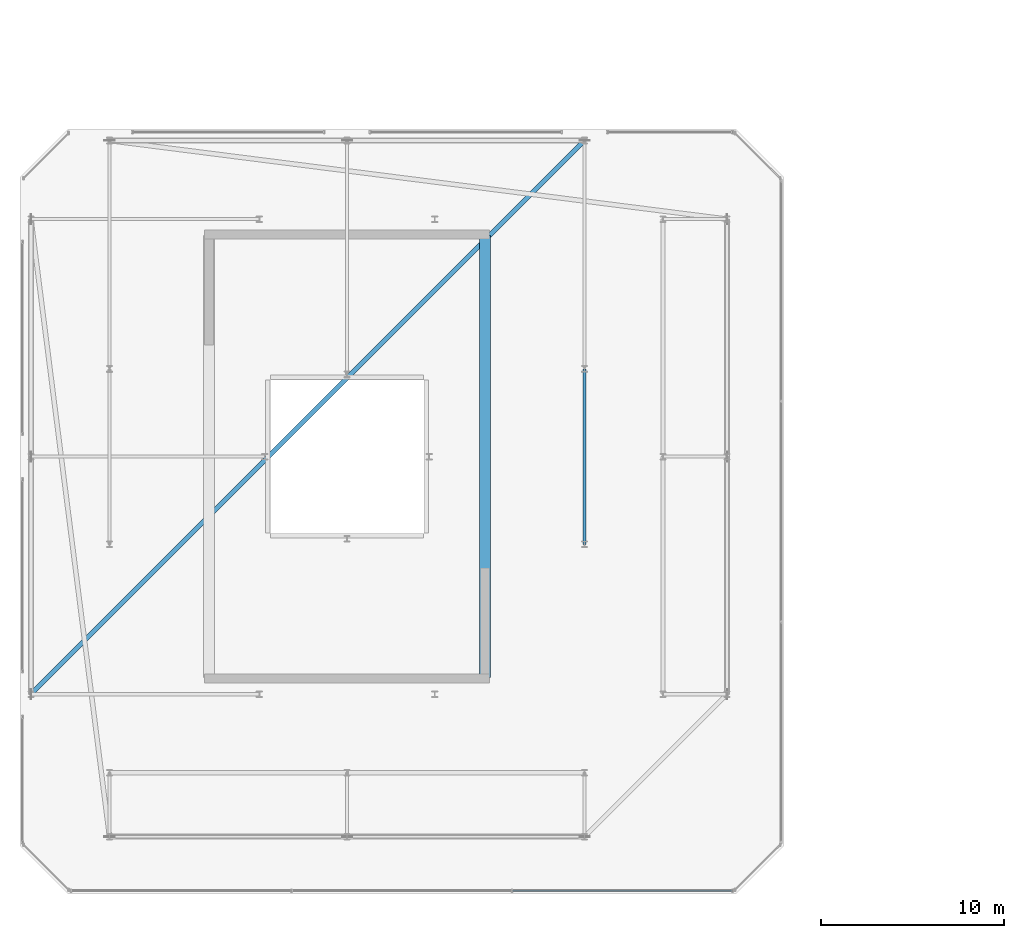
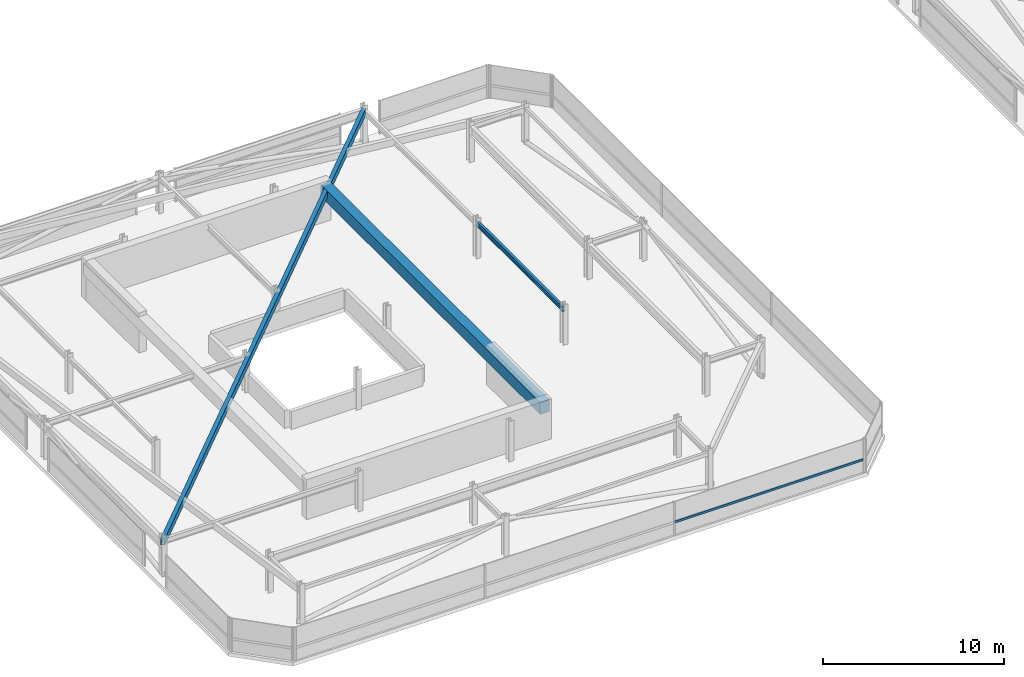
# One storey, part 15 of 42: 3 beams, 1 member, 1 element without a shape of its own.
"""IFC4 building model written with IfcOpenShell, lengths in metres."""

import ifcopenshell
import ifcopenshell.guid

model = None  # the IFC model being written
_history = None  # IfcOwnerHistory: only IFC2X3 demands one
_inside = {}  # id of a spatial element -> (the spatial element, [elements in it])
_under = {}  # id of a project, library or spatial element -> (it, [spatial elements below it])
_declared = {}  # id of a project -> (the project, [libraries it declares])
_typed = {}  # id of a type object -> (the type object, [elements of that type])
_made_of = {}  # id of a material, layer set ... -> (it, [elements and type objects made of it])


def new_model(schema):
    """Start an empty IFC model of exactly this schema.

    Asked for "IFC4X3", IfcOpenShell would pick the latest addendum, in which some entities
    have other attributes; the version numbers below select the first issue.
    IFC2X3 requires an IfcOwnerHistory on every rooted entity: one is made here for all.
    """
    global model, _history
    if schema == "IFC4X3":
        model = ifcopenshell.file(schema_version=(4, 3, 0, 0))
    else:
        model = ifcopenshell.file(schema=schema)
    _inside.clear()
    _under.clear()
    _declared.clear()
    _typed.clear()
    _made_of.clear()
    _history = None
    if model.schema == "IFC2X3":
        org = make("IfcOrganization", Name="unknown")
        user = make(
            "IfcPersonAndOrganization",
            ThePerson=make("IfcPerson", FamilyName="unknown"),
            TheOrganization=org,
        )
        app = make(
            "IfcApplication",
            ApplicationDeveloper=org,
            Version="unknown",
            ApplicationFullName="unknown",
            ApplicationIdentifier="unknown",
        )
        _history = make(
            "IfcOwnerHistory",
            OwningUser=user,
            OwningApplication=app,
            ChangeAction="ADDED",
            CreationDate=0,
        )
    return model


def make(cls, **values):
    """One entity of the class cls with the attributes given. An attribute that is None is left unset."""
    return model.create_entity(
        cls, **{name: value for name, value in values.items() if value is not None}
    )


def rooted(cls, **values):
    """An entity with a GlobalId (a new one), such as an element, a storey or a relation."""
    return make(cls, GlobalId=ifcopenshell.guid.new(), OwnerHistory=_history, **values)


def si_unit(unit_type, name, prefix=None):
    """IfcSIUnit, for example si_unit("LENGTHUNIT", "METRE", prefix="MILLI")."""
    return make("IfcSIUnit", UnitType=unit_type, Prefix=prefix, Name=name)


def assignment(units):
    """IfcUnitAssignment: the units of a project."""
    return None if units is None else make("IfcUnitAssignment", Units=units)


def point(xyz):
    """IfcCartesianPoint."""
    return None if xyz is None else make("IfcCartesianPoint", Coordinates=xyz)


def direction(xyz):
    """IfcDirection."""
    return None if xyz is None else make("IfcDirection", DirectionRatios=xyz)


def frame(location, z_axis=None, x_axis=None):
    """IfcAxis2Placement3D, a coordinate frame: its origin and axes. An axis left out is left unset."""
    return make(
        "IfcAxis2Placement3D",
        Location=point(location),
        Axis=direction(z_axis),
        RefDirection=direction(x_axis),
    )


def frame_2d(location, x_axis=None):
    """IfcAxis2Placement2D, a coordinate frame in the plane: its origin and x axis."""
    return make(
        "IfcAxis2Placement2D", Location=point(location), RefDirection=direction(x_axis)
    )


def origin():
    """The frame at (0, 0, 0) with its axes left unset."""
    return frame((0.0, 0.0, 0.0))


def origin_2d():
    """The frame at (0, 0) in the plane with its x axis left unset."""
    return frame_2d((0.0, 0.0))


def place(relative_to, where):
    """IfcLocalPlacement: puts the frame where relative to a parent placement (None: the world)."""
    return make(
        "IfcLocalPlacement", PlacementRelTo=relative_to, RelativePlacement=where
    )


def context(
    kind, dimensions, precision=None, world=None, true_north=None, identifier=None
):
    """IfcGeometricRepresentationContext, for example the 3D "Model" context."""
    return make(
        "IfcGeometricRepresentationContext",
        ContextIdentifier=identifier,
        ContextType=kind,
        CoordinateSpaceDimension=dimensions,
        Precision=precision,
        WorldCoordinateSystem=world,
        TrueNorth=true_north,
    )


def subcontext(parent, identifier, kind, view, scale=None):
    """IfcGeometricRepresentationSubContext, for example "Body" below "Model"."""
    return make(
        "IfcGeometricRepresentationSubContext",
        ContextIdentifier=identifier,
        ContextType=kind,
        ParentContext=parent,
        TargetScale=scale,
        TargetView=view,
    )


def project(units=None, contexts=None):
    """IfcProject with its units and contexts."""
    return rooted(
        "IfcProject",
        Name="project",
        RepresentationContexts=contexts,
        UnitsInContext=assignment(units),
    )


def spatial(cls, under=None, at=None, **own):
    """A site, building, storey or space (cls), placed at a placement, below another one or the project."""
    s = rooted(cls, ObjectPlacement=at, **own)
    if under is not None:
        _under.setdefault(under.id(), (under, []))[1].append(s)
    return s


def profile(cls, at=None, kind="AREA", **sizes):
    """A parametric profile (cls). Its sizes go by their IFC names, for example OverallWidth=200.0."""
    return make(cls, ProfileType=kind, Position=at, **sizes)


def rectangle(**sizes):
    """IfcRectangleProfileDef."""
    return profile("IfcRectangleProfileDef", **sizes)


def hollow_rectangle(**sizes):
    """IfcRectangleHollowProfileDef."""
    return profile("IfcRectangleHollowProfileDef", **sizes)


def i_section(**sizes):
    """IfcIShapeProfileDef."""
    return profile("IfcIShapeProfileDef", **sizes)


def extrude(swept, where, along, depth):
    """IfcExtrudedAreaSolid: the profile swept, set in the frame where, extruded along a direction by depth."""
    return make(
        "IfcExtrudedAreaSolid",
        SweptArea=swept,
        Position=where,
        ExtrudedDirection=direction(along),
        Depth=depth,
    )


def shape(context_of_items, identifier, shape_type, items):
    """IfcShapeRepresentation: the items that make up one representation, for example the "Body"."""
    return make(
        "IfcShapeRepresentation",
        ContextOfItems=context_of_items,
        RepresentationIdentifier=identifier,
        RepresentationType=shape_type,
        Items=items,
    )


def material(Name=None, Category=None):
    """IfcMaterial."""
    return make("IfcMaterial", Name=Name, Category=Category)


def material_profile(
    of_material, cross_section, Name=None, Category=None, Priority=None
):
    """IfcMaterialProfile: a cross section and its material."""
    return make(
        "IfcMaterialProfile",
        Name=Name,
        Material=of_material,
        Profile=cross_section,
        Priority=Priority,
        Category=Category,
    )


def profile_set(profiles, Name=None, composite=None):
    """IfcMaterialProfileSet."""
    return make(
        "IfcMaterialProfileSet",
        Name=Name,
        MaterialProfiles=profiles,
        CompositeProfile=composite,
    )


def made_of(thing, what):
    """Note that an element or type object is made of a material, layer set ...; save() writes the relation."""
    if what is not None:
        _made_of.setdefault(what.id(), (what, []))[1].append(thing)
    return thing


def type_object(cls, material=None, **own):
    """A type object (cls), such as IfcWallType, which elements share."""
    return made_of(rooted(cls, **own), material)


def element(
    cls,
    number,
    at=None,
    inside=None,
    cuts=None,
    type_object=None,
    material=None,
    context=None,
    identifier="Body",
    shape_type=None,
    held_by="IfcProductDefinitionShape",
    body=None,
    shapes=None,
    **own,
):
    """One element of the class cls, such as IfcWall. Its Tag is "e" and its number.

    at: its placement. inside: the storey or other place that contains it. cuts: it is an
    opening in that element (IfcRelVoidsElement). A single representation is given by context,
    identifier, shape_type and body (its items); several are given by shapes. held_by: the class
    of the entity that holds the representations. save() writes the other relations.
    """
    e = rooted(cls, Tag="e%d" % number, ObjectPlacement=at, **own)
    if body is not None:
        shapes = [shape(context, identifier, shape_type, body)]
    if shapes is not None:
        e.Representation = make(held_by, Representations=shapes)
    if inside is not None:
        _inside.setdefault(inside.id(), (inside, []))[1].append(e)
    if cuts is not None:
        rooted(
            "IfcRelVoidsElement", RelatingBuildingElement=cuts, RelatedOpeningElement=e
        )
    if type_object is not None:
        _typed.setdefault(type_object.id(), (type_object, []))[1].append(e)
    return made_of(e, material)


def aggregate(whole, parts):
    """IfcRelAggregates: a whole, such as a stair, and the parts it consists of."""
    return rooted("IfcRelAggregates", RelatingObject=whole, RelatedObjects=parts)


def save(model, path):
    """Write the relations noted so far, then the file.

    IfcRelAggregates (storeys below a building ...), IfcRelContainedInSpatialStructure (elements
    in a storey), IfcRelDefinesByType, IfcRelAssociatesMaterial and IfcRelDeclares: one each for
    every whole, place, type object, material and project.
    """
    for whole, parts in _under.values():
        aggregate(whole, parts)
    for where, things in _inside.values():
        rooted(
            "IfcRelContainedInSpatialStructure",
            RelatedElements=things,
            RelatingStructure=where,
        )
    for kind, things in _typed.values():
        rooted("IfcRelDefinesByType", RelatedObjects=things, RelatingType=kind)
    for what, things in _made_of.values():
        rooted("IfcRelAssociatesMaterial", RelatedObjects=things, RelatingMaterial=what)
    for by, libraries in _declared.values():
        rooted("IfcRelDeclares", RelatingContext=by, RelatedDefinitions=libraries)
    model.write(path)


model = new_model("IFC4")

# Units and contexts
model_context = context("Model", 3, precision=1e-05, world=origin(), true_north=direction((0.0, 1.0)))
body_context = subcontext(model_context, "Body", "Model", "MODEL_VIEW")
ifc_project = project(units=[si_unit("LENGTHUNIT", "METRE"), si_unit("AREAUNIT", "SQUARE_METRE"), si_unit("VOLUMEUNIT", "CUBIC_METRE"), si_unit("PLANEANGLEUNIT", "RADIAN"), si_unit("MASSUNIT", "GRAM", prefix="KILO")], contexts=[model_context])

# Site, building, storey
site_placement = place(None, origin())
site = spatial("IfcSite", under=ifc_project, at=site_placement, CompositionType="ELEMENT")
building_placement = place(site_placement, origin())
building = spatial("IfcBuilding", under=site, at=building_placement, Name="Thornwick Lancets Civic Towers", CompositionType="ELEMENT")
storey_placement = place(building_placement, frame((0.0, 0.0, 286.800048828125)))
storey = spatial("IfcBuildingStorey", under=building, at=storey_placement, Name="C03", CompositionType="ELEMENT", Elevation=286.800048828125)

# Beams
ifc_material_1 = material(Name="Concrete C60/75", Category="concrete")
ifc_material_profile_1 = material_profile(ifc_material_1, rectangle(XDim=0.60009765625, YDim=0.800048828125, at=origin_2d()), Name="RC 600x800")
ifc_profile_set_1 = profile_set([ifc_material_profile_1], Name="Concrete C60/75")
beam_type_1 = type_object("IfcBeamType", Name="BM_COUP_RC800", PredefinedType="BEAM", material=ifc_profile_set_1)
beam_1_placement = place(storey_placement, frame((33.050048828125, 14.89990234375, 2.0400390625), z_axis=(0.0, 1.0, 0.0), x_axis=(-1.0, 0.0, 0.0)))
element("IfcBeam", 1, at=beam_1_placement, inside=storey, type_object=beam_type_1, Name="CB-C03-A1", PredefinedType="BEAM", context=body_context, shape_type="SweptSolid", body=[
    extrude(rectangle(XDim=0.60009765625, YDim=0.800048828125, at=origin_2d()), origin(), (0.0, 0.0, 1.0), 24.2001953125),
])
ifc_material_2 = material(Name="Steel S355JR", Category="steel")
ifc_material_profile_2 = material_profile(ifc_material_2, i_section(OverallWidth=0.1669921875, OverallDepth=0.310302734375, WebThickness=0.0078125, FlangeThickness=0.013671875, FilletRadius=0.0087890625, at=origin_2d()), Name="UKB 305x165x54")
ifc_profile_set_2 = profile_set([ifc_material_profile_2], Name="Steel S355JR")
beam_type_2 = type_object("IfcBeamType", Name="BM_LINTEL_305_54", PredefinedType="LINTEL", material=ifc_profile_set_2)
beam_2_placement = place(storey_placement, frame((38.5, 22.199951171875, 2.28466796875), z_axis=(0.0, 1.0, 0.0), x_axis=(-1.0, 0.0, 0.0)))
element("IfcBeam", 2, at=beam_2_placement, inside=storey, type_object=beam_type_2, Name="BM-INSP-C03-A-1-3", PredefinedType="LINTEL", context=body_context, shape_type="SweptSolid", body=[
    extrude(i_section(OverallWidth=0.1669921875, OverallDepth=0.310302734375, WebThickness=0.0078125, FlangeThickness=0.013671875, FilletRadius=0.0087890625, at=origin_2d()), origin(), (0.0, 0.0, 1.0), 9.60009765625),
])
ifc_material_profile_3 = material_profile(ifc_material_2, hollow_rectangle(XDim=0.25, YDim=0.449951171875, WallThickness=0.01611328125, at=origin_2d()), Name="RHS 450x250x16")
ifc_profile_set_3 = profile_set([ifc_material_profile_3], Name="Steel S355JR")
beam_type_3 = type_object("IfcBeamType", Name="BM_RING_RHS450", PredefinedType="BEAM", material=ifc_profile_set_3)
beam_3_placement = place(storey_placement, frame((38.5, 44.300048828125, 2.21484375), z_axis=(-0.707106781187, -0.707106781187, 0.0), x_axis=(0.707106781187, -0.707106781187, 0.0)))
element("IfcBeam", 3, at=beam_3_placement, inside=storey, type_object=beam_type_3, Name="BM-CHAMF-C03-A-C2", PredefinedType="BEAM", context=body_context, shape_type="SweptSolid", body=[
    extrude(hollow_rectangle(XDim=0.25, YDim=0.449951171875, WallThickness=0.01611328125, at=origin_2d()), origin(), (0.0, 0.0, 1.0), 42.850830078125),
])

# Curtain wall, member
ifc_material_3 = material(Name="Crown ring acoustic-louvre and glazing screen wall", Category="glass")
curtain_wall_type = type_object("IfcCurtainWallType", Name="CW_SYS_07", PredefinedType="NOTDEFINED", material=ifc_material_3)
curtain_wall_placement = place(storey_placement, origin())
curtain_wall = element("IfcCurtainWall", 4, at=curtain_wall_placement, inside=storey, type_object=curtain_wall_type, Name="C03 Curtain Wall CW-C03-A-E0", PredefinedType="NOTDEFINED")
ifc_material_4 = material(Name="Thermally broken bronze aluminium S355", Category="steel")
ifc_material_profile_4 = material_profile(ifc_material_4, hollow_rectangle(XDim=0.074951171875, YDim=0.14990234375, WallThickness=0.0048828125, at=origin_2d()), Name="RHS 150x75x5")
ifc_profile_set_4 = profile_set([ifc_material_profile_4], Name="Thermally broken bronze aluminium S355")
member_type = type_object("IfcMemberType", Name="CW_TRN_150", PredefinedType="USERDEFINED", material=ifc_profile_set_4)
member_placement = place(storey_placement, frame((34.5537109375, 3.2353515625, 0.849853515625), z_axis=(1.0, 0.0, 0.0), x_axis=(0.0, 1.0, 0.0)))
member = element("IfcMember", 5, at=member_placement, type_object=member_type, Name="CW-C03-A-E0 Transom 2", ObjectType="TRANSOM", PredefinedType="USERDEFINED", context=body_context, shape_type="SweptSolid", body=[
    extrude(hollow_rectangle(XDim=0.074951171875, YDim=0.14990234375, WallThickness=0.0048828125, at=origin_2d()), origin(), (0.0, 0.0, 1.0), 12.027587890625),
])
aggregate(curtain_wall, [member])

save(model, "model.ifc")
